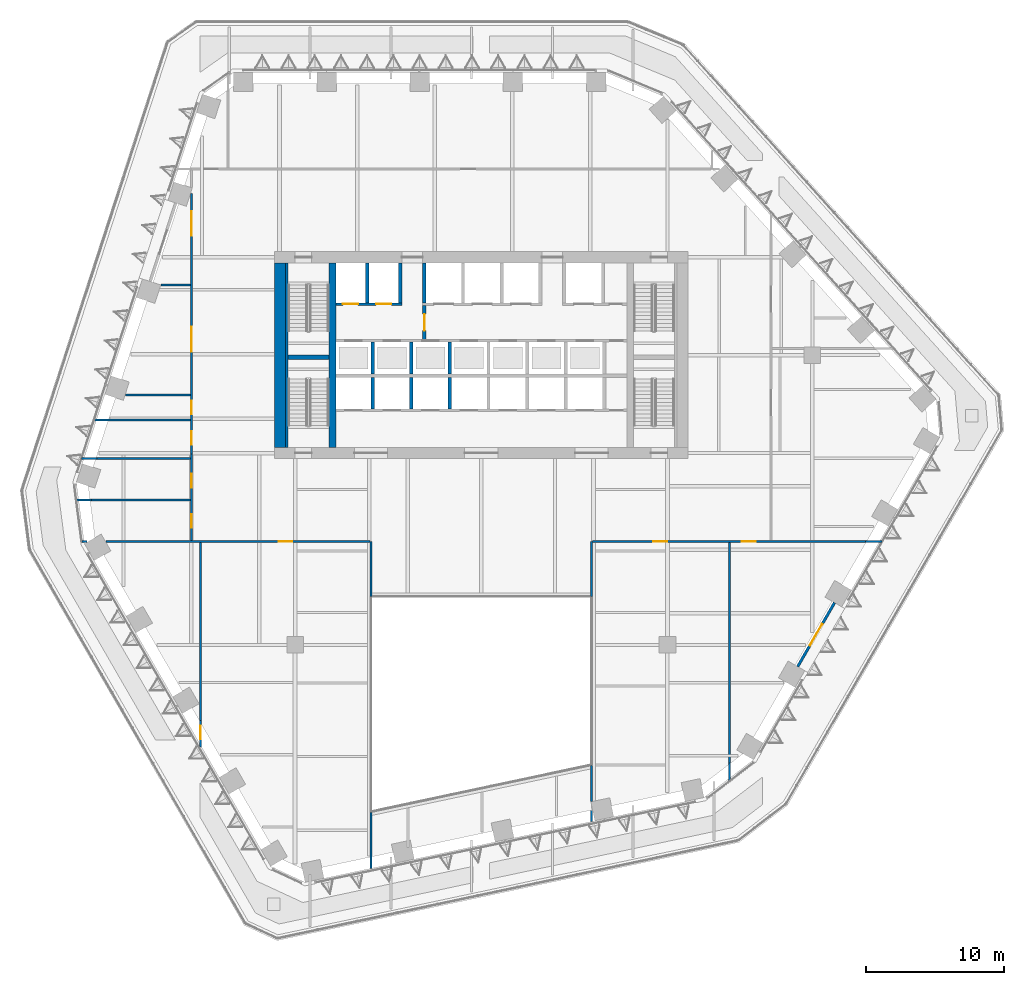
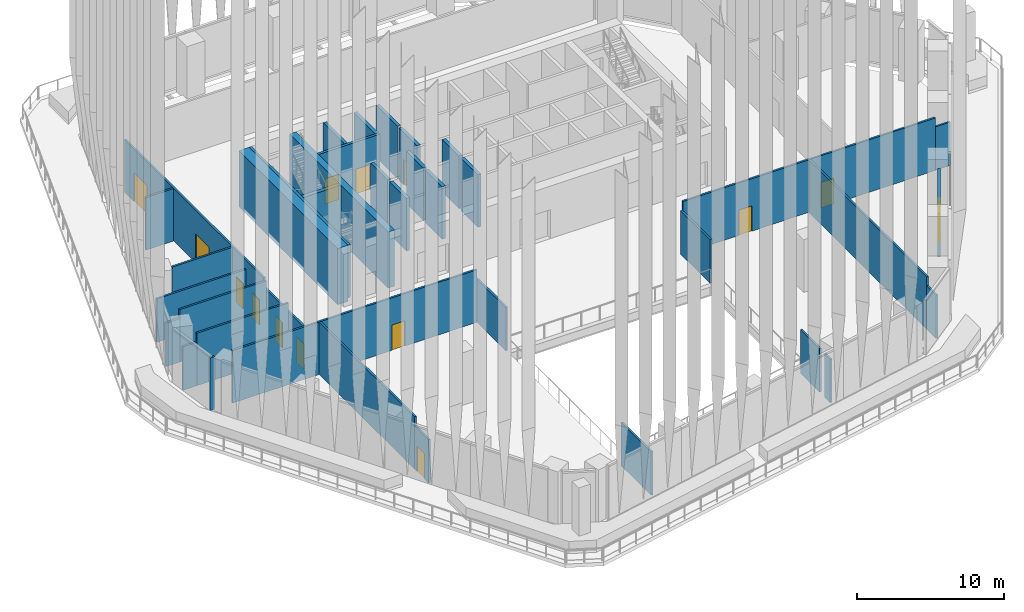
# One storey, part 13 of 27: 38 walls, 14 doors, 14 openings.
"""IFC4 building model written with IfcOpenShell, lengths in metres."""

from ifc_helpers import new_model, si_unit, direction, frame, frame_2d, origin, place, context, subcontext, project, spatial, rectangle, extrude, material, layer, layer_set, type_object, element, fill, save


model = new_model("IFC4")

# Units and contexts
model_context = context("Model", 3, precision=1e-05, world=origin(), true_north=direction((0.0, 1.0)))
body_context = subcontext(model_context, "Body", "Model", "MODEL_VIEW")
ifc_project = project(units=[si_unit("LENGTHUNIT", "METRE"), si_unit("AREAUNIT", "SQUARE_METRE"), si_unit("VOLUMEUNIT", "CUBIC_METRE"), si_unit("PLANEANGLEUNIT", "RADIAN"), si_unit("MASSUNIT", "GRAM", prefix="KILO")], contexts=[model_context])

# Site, building, storey
site_placement = place(None, origin())
site = spatial("IfcSite", under=ifc_project, at=site_placement, CompositionType="ELEMENT")
building_placement = place(site_placement, origin())
building = spatial("IfcBuilding", under=site, at=building_placement, Name="Isthmus Gate Tower", CompositionType="ELEMENT")
storey_placement = place(building_placement, frame((0.0, 0.0, 121.64990234375)))
storey = spatial("IfcBuildingStorey", under=building, at=storey_placement, Name="L29", CompositionType="ELEMENT", Elevation=121.64990234375)

# Wall, opening, door
ifc_material_1 = material(Name="Fire-rated blockwork masonry, 15 MPa", Category="masonry")
ifc_layer_1 = layer(ifc_material_1, 0.25)
ifc_layer_set_1 = layer_set([ifc_layer_1], Name="FIRE-FIGHTING LOBBY WALL 250 90 MIN")
wall_type_1 = type_object("IfcWallType", Name="FIRE-FIGHTING LOBBY WALL 250 90 MIN", PredefinedType="PARTITIONING", material=ifc_layer_set_1)
wall_1_placement = place(storey_placement, frame((-4.125, 8.64990234375, 0.0), z_axis=(0.0, 0.0, 1.0), x_axis=(0.0, 1.0, 0.0)))
wall_1 = element("IfcWall", 1, at=wall_1_placement, inside=storey, type_object=wall_type_1, Name="L29 FIRE-FIGHTING LOBBY WALL 250 90 MIN", PredefinedType="PARTITIONING", context=body_context, shape_type="SweptSolid", body=[
    extrude(rectangle(XDim=2.4501953125, YDim=0.25, at=frame_2d((1.22509765625, 0.0))), origin(), (0.0, 0.0, 1.0), 4.35009765625),
])
opening_1_placement = place(wall_1_placement, frame((0.625, 0.0, 0.0)))
opening_1 = element("IfcOpeningElement", 2, at=opening_1_placement, cuts=wall_1, Name="Opening DC-A08-01", PredefinedType="OPENING", context=body_context, shape_type="SweptSolid", body=[
    extrude(rectangle(XDim=1.199951171875, YDim=2.10009765625, at=frame_2d((0.60009765625, 1.050048828125))), frame((0.0, 0.135009765625, 0.0), z_axis=(0.0, -1.0, 0.0), x_axis=(1.0, 0.0, 0.0)), (0.0, 0.0, 1.0), 0.27001953125),
])
ifc_material_2 = material(Name="Steel door leaf, fire-rated", Category="steel")
door_type_1 = type_object("IfcDoorType", Name="LOBBY FIRE DOOR 1200 X 2100 90 MIN", OperationType="DOUBLE_DOOR_SINGLE_SWING", PredefinedType="DOOR", material=ifc_material_2)
door_1_placement = place(opening_1_placement, origin())
door_1 = element("IfcDoor", 3, at=door_1_placement, inside=storey, type_object=door_type_1, Name="Fire-fighting Lobby Door", OperationType="SINGLE_SWING_LEFT", OverallHeight=2.10009765625, OverallWidth=1.199951171875, PredefinedType="DOOR", context=body_context, shape_type="SweptSolid", body=[
    extrude(rectangle(XDim=1.199951171875, YDim=2.10009765625, at=frame_2d((0.60009765625, 1.050048828125))), frame((0.0, 0.02490234375, 0.0), z_axis=(0.0, -1.0, 0.0), x_axis=(1.0, 0.0, 0.0)), (0.0, 0.0, 1.0), 0.050048828125),
])
fill(opening_1, door_1)

# Wall
ifc_material_3 = material(Name="Gypsum board on cold-formed steel studs", Category="steel")
ifc_layer_2 = layer(ifc_material_3, 0.14990234375)
ifc_layer_set_2 = layer_set([ifc_layer_2])
wall_type_2 = type_object("IfcWallType", Name="Partition 150 gypsum board on steel studs", PredefinedType="PARTITIONING", material=ifc_layer_set_2)
wall_2_placement = place(storey_placement, frame((-28.96044921875, -6.0, 0.0), z_axis=(0.0, 0.0, 1.0), x_axis=(1.0, 0.0, 0.0)))
element("IfcWall", 4, at=wall_2_placement, inside=storey, type_object=wall_type_2, Name="Partition", PredefinedType="PARTITIONING", context=body_context, shape_type="SweptSolid", body=[
    extrude(rectangle(XDim=0.361083984375, YDim=0.14990234375, at=frame_2d((0.1806640625, 0.0))), origin(), (0.0, 0.0, 1.0), 4.35009765625),
])

# Wall, opening, door
wall_3_placement = place(storey_placement, frame((-27.20751953125, -6.0, 0.0), z_axis=(0.0, 0.0, 1.0), x_axis=(1.0, 0.0, 0.0)))
wall_3 = element("IfcWall", 5, at=wall_3_placement, inside=storey, type_object=wall_type_2, Name="Partition", PredefinedType="PARTITIONING", context=body_context, shape_type="SweptSolid", body=[
    extrude(rectangle(XDim=19.132568359375, YDim=0.14990234375, at=frame_2d((9.56640625, 0.0))), origin(), (0.0, 0.0, 1.0), 4.35009765625),
])
opening_2_placement = place(wall_3_placement, frame((12.50732421875, 0.0, 0.0)))
opening_2 = element("IfcOpeningElement", 6, at=opening_2_placement, cuts=wall_3, Name="Opening DP29-11", PredefinedType="OPENING", context=body_context, shape_type="SweptSolid", body=[
    extrude(rectangle(XDim=1.0, YDim=2.10009765625, at=frame_2d((0.5, 1.050048828125))), frame((0.0, 0.0849609375, 0.0), z_axis=(0.0, -1.0, 0.0), x_axis=(1.0, 0.0, 0.0)), (0.0, 0.0, 1.0), 0.169921875),
])
ifc_material_4 = material(Name="Hollow metal frame with solid-core timber leaf", Category="wood")
door_type_2 = type_object("IfcDoorType", Name="Single swing door 1000 x 2100", OperationType="SINGLE_SWING_LEFT", PredefinedType="DOOR", material=ifc_material_4)
door_2_placement = place(opening_2_placement, origin())
door_2 = element("IfcDoor", 7, at=door_2_placement, inside=storey, type_object=door_type_2, Name="Door DP29-11", OperationType="SINGLE_SWING_LEFT", OverallHeight=2.10009765625, OverallWidth=1.0, PredefinedType="DOOR", context=body_context, shape_type="SweptSolid", body=[
    extrude(rectangle(XDim=1.0, YDim=2.10009765625, at=frame_2d((0.5, 1.050048828125))), frame((0.0, 0.02490234375, 0.0), z_axis=(0.0, -1.0, 0.0), x_axis=(1.0, 0.0, 0.0)), (0.0, 0.0, 1.0), 0.050048828125),
])
fill(opening_2, door_2)

# Wall, openings, doors
wall_4_placement = place(storey_placement, frame((8.074951171875, -6.0, 0.0), z_axis=(0.0, 0.0, 1.0), x_axis=(1.0, 0.0, 0.0)))
wall_4 = element("IfcWall", 8, at=wall_4_placement, inside=storey, type_object=wall_type_2, Name="Partition", PredefinedType="PARTITIONING", context=body_context, shape_type="SweptSolid", body=[
    extrude(rectangle(XDim=19.7822265625, YDim=0.14990234375, at=frame_2d((9.89111328125, 0.0))), origin(), (0.0, 0.0, 1.0), 4.35009765625),
])
opening_3_placement = place(wall_4_placement, frame((4.39990234375, 0.0, 0.0)))
opening_3 = element("IfcOpeningElement", 9, at=opening_3_placement, cuts=wall_4, Name="Opening DP29-12", PredefinedType="OPENING", context=body_context, shape_type="SweptSolid", body=[
    extrude(rectangle(XDim=1.0, YDim=2.10009765625, at=frame_2d((0.5, 1.050048828125))), frame((0.0, 0.0849609375, 0.0), z_axis=(0.0, -1.0, 0.0), x_axis=(1.0, 0.0, 0.0)), (0.0, 0.0, 1.0), 0.169921875),
])
opening_4_placement = place(wall_4_placement, frame((10.824951171875, 0.0, 0.0)))
opening_4 = element("IfcOpeningElement", 10, at=opening_4_placement, cuts=wall_4, Name="Opening DP29-13", PredefinedType="OPENING", context=body_context, shape_type="SweptSolid", body=[
    extrude(rectangle(XDim=1.0, YDim=2.10009765625, at=frame_2d((0.5, 1.050048828125))), frame((0.0, 0.0849609375, 0.0), z_axis=(0.0, -1.0, 0.0), x_axis=(1.0, 0.0, 0.0)), (0.0, 0.0, 1.0), 0.169921875),
])
door_3_placement = place(opening_3_placement, origin())
door_3 = element("IfcDoor", 11, at=door_3_placement, inside=storey, type_object=door_type_2, Name="Door DP29-12", OperationType="SINGLE_SWING_LEFT", OverallHeight=2.10009765625, OverallWidth=1.0, PredefinedType="DOOR", context=body_context, shape_type="SweptSolid", body=[
    extrude(rectangle(XDim=1.0, YDim=2.10009765625, at=frame_2d((0.5, 1.050048828125))), frame((0.0, 0.02490234375, 0.0), z_axis=(0.0, -1.0, 0.0), x_axis=(1.0, 0.0, 0.0)), (0.0, 0.0, 1.0), 0.050048828125),
])
fill(opening_3, door_3)
door_4_placement = place(opening_4_placement, origin())
door_4 = element("IfcDoor", 12, at=door_4_placement, inside=storey, type_object=door_type_2, Name="Door DP29-13", OperationType="SINGLE_SWING_LEFT", OverallHeight=2.10009765625, OverallWidth=1.0, PredefinedType="DOOR", context=body_context, shape_type="SweptSolid", body=[
    extrude(rectangle(XDim=1.0, YDim=2.10009765625, at=frame_2d((0.5, 1.050048828125))), frame((0.0, 0.02490234375, 0.0), z_axis=(0.0, -1.0, 0.0), x_axis=(1.0, 0.0, 0.0)), (0.0, 0.0, 1.0), 0.050048828125),
])
fill(opening_4, door_4)

# Walls
wall_5_placement = place(storey_placement, frame((27.857177734375, -6.0, 0.0), z_axis=(0.0, 0.0, 1.0), x_axis=(1.0, 0.0, 0.0)))
element("IfcWall", 13, at=wall_5_placement, inside=storey, type_object=wall_type_2, Name="Partition", PredefinedType="PARTITIONING", context=body_context, shape_type="SweptSolid", body=[
    extrude(rectangle(XDim=1.180419921875, YDim=0.14990234375, at=frame_2d((0.59033203125, 0.0))), origin(), (0.0, 0.0, 1.0), 3.60009765625),
])
wall_6_placement = place(storey_placement, frame((-29.351318359375, -3.0, 0.0), z_axis=(0.0, 0.0, 1.0), x_axis=(1.0, 0.0, 0.0)))
element("IfcWall", 14, at=wall_6_placement, inside=storey, type_object=wall_type_2, Name="Partition", PredefinedType="PARTITIONING", context=body_context, shape_type="SweptSolid", body=[
    extrude(rectangle(XDim=1.094482421875, YDim=0.14990234375, at=frame_2d((0.54736328125, 0.0))), origin(), (0.0, 0.0, 1.0), 3.60009765625),
])
wall_7_placement = place(storey_placement, frame((-28.2568359375, -3.0, 0.0), z_axis=(0.0, 0.0, 1.0), x_axis=(1.0, 0.0, 0.0)))
element("IfcWall", 15, at=wall_7_placement, inside=storey, type_object=wall_type_2, Name="Partition", PredefinedType="PARTITIONING", context=body_context, shape_type="SweptSolid", body=[
    extrude(rectangle(XDim=7.181884765625, YDim=0.14990234375, at=frame_2d((3.5908203125, 0.0))), origin(), (0.0, 0.0, 1.0), 4.35009765625),
])
wall_8_placement = place(storey_placement, frame((-28.967529296875, 0.0, 0.0), z_axis=(0.0, 0.0, 1.0), x_axis=(1.0, 0.0, 0.0)))
element("IfcWall", 16, at=wall_8_placement, inside=storey, type_object=wall_type_2, Name="Partition", PredefinedType="PARTITIONING", context=body_context, shape_type="SweptSolid", body=[
    extrude(rectangle(XDim=1.091064453125, YDim=0.14990234375, at=frame_2d((0.54541015625, 0.0))), origin(), (0.0, 0.0, 1.0), 3.60009765625),
])
wall_9_placement = place(storey_placement, frame((-27.87646484375, 0.0, 0.0), z_axis=(0.0, 0.0, 1.0), x_axis=(1.0, 0.0, 0.0)))
element("IfcWall", 17, at=wall_9_placement, inside=storey, type_object=wall_type_2, Name="Partition", PredefinedType="PARTITIONING", context=body_context, shape_type="SweptSolid", body=[
    extrude(rectangle(XDim=6.801513671875, YDim=0.14990234375, at=frame_2d((3.40087890625, 0.0))), origin(), (0.0, 0.0, 1.0), 4.35009765625),
])
wall_10_placement = place(storey_placement, frame((-28.057861328125, 2.800048828125, 0.0), z_axis=(0.0, 0.0, 1.0), x_axis=(1.0, 0.0, 0.0)))
element("IfcWall", 18, at=wall_10_placement, inside=storey, type_object=wall_type_2, Name="Partition", PredefinedType="PARTITIONING", context=body_context, shape_type="SweptSolid", body=[
    extrude(rectangle(XDim=6.98291015625, YDim=0.14990234375, at=frame_2d((3.491455078125, 0.0))), origin(), (0.0, 0.0, 1.0), 3.60009765625),
])
wall_11_placement = place(storey_placement, frame((-25.806396484375, 4.60009765625, 0.0), z_axis=(0.0, 0.0, 1.0), x_axis=(1.0, 0.0, 0.0)))
element("IfcWall", 19, at=wall_11_placement, inside=storey, type_object=wall_type_2, Name="Partition", PredefinedType="PARTITIONING", context=body_context, shape_type="SweptSolid", body=[
    extrude(rectangle(XDim=4.7314453125, YDim=0.14990234375, at=frame_2d((2.36572265625, 0.0))), origin(), (0.0, 0.0, 1.0), 4.35009765625),
])
wall_12_placement = place(storey_placement, frame((-23.23486328125, 12.60009765625, 0.0), z_axis=(0.0, 0.0, 1.0), x_axis=(1.0, 0.0, 0.0)))
element("IfcWall", 20, at=wall_12_placement, inside=storey, type_object=wall_type_2, Name="Partition", PredefinedType="PARTITIONING", context=body_context, shape_type="SweptSolid", body=[
    extrude(rectangle(XDim=2.159912109375, YDim=0.14990234375, at=frame_2d((1.080078125, 0.0))), origin(), (0.0, 0.0, 1.0), 4.35009765625),
])

# Wall, openings, doors
wall_13_placement = place(storey_placement, frame((-21.0, -5.925048828125, 0.0), z_axis=(0.0, 0.0, 1.0), x_axis=(0.0, 1.0, 0.0)))
wall_13 = element("IfcWall", 21, at=wall_13_placement, inside=storey, type_object=wall_type_2, Name="Partition", PredefinedType="PARTITIONING", context=body_context, shape_type="SweptSolid", body=[
    extrude(rectangle(XDim=6.268310546875, YDim=0.14990234375, at=frame_2d((3.13427734375, 0.0))), origin(), (0.0, 0.0, 1.0), 3.600830078125),
])
opening_5_placement = place(wall_13_placement, frame((0.89990234375, 0.0, 0.0)))
opening_5 = element("IfcOpeningElement", 22, at=opening_5_placement, cuts=wall_13, Name="Opening DP29-03", PredefinedType="OPENING", context=body_context, shape_type="SweptSolid", body=[
    extrude(rectangle(XDim=1.0, YDim=2.10009765625, at=frame_2d((0.5, 1.050048828125))), frame((0.0, 0.0849609375, 0.0), z_axis=(0.0, -1.0, 0.0), x_axis=(1.0, 0.0, 0.0)), (0.0, 0.0, 1.0), 0.169921875),
])
opening_6_placement = place(wall_13_placement, frame((3.824951171875, 0.0, 0.0)))
opening_6 = element("IfcOpeningElement", 23, at=opening_6_placement, cuts=wall_13, Name="Opening DP29-04", PredefinedType="OPENING", context=body_context, shape_type="SweptSolid", body=[
    extrude(rectangle(XDim=1.0, YDim=2.10009765625, at=frame_2d((0.5, 1.050048828125))), frame((0.0, 0.0849609375, 0.0), z_axis=(0.0, -1.0, 0.0), x_axis=(1.0, 0.0, 0.0)), (0.0, 0.0, 1.0), 0.169921875),
])
door_5_placement = place(opening_5_placement, origin())
door_5 = element("IfcDoor", 24, at=door_5_placement, inside=storey, type_object=door_type_2, Name="Door DP29-03", OperationType="SINGLE_SWING_LEFT", OverallHeight=2.10009765625, OverallWidth=1.0, PredefinedType="DOOR", context=body_context, shape_type="SweptSolid", body=[
    extrude(rectangle(XDim=1.0, YDim=2.10009765625, at=frame_2d((0.5, 1.050048828125))), frame((0.0, 0.02490234375, 0.0), z_axis=(0.0, -1.0, 0.0), x_axis=(1.0, 0.0, 0.0)), (0.0, 0.0, 1.0), 0.050048828125),
])
fill(opening_5, door_5)
door_6_placement = place(opening_6_placement, origin())
door_6 = element("IfcDoor", 25, at=door_6_placement, inside=storey, type_object=door_type_2, Name="Door DP29-04", OperationType="SINGLE_SWING_LEFT", OverallHeight=2.10009765625, OverallWidth=1.0, PredefinedType="DOOR", context=body_context, shape_type="SweptSolid", body=[
    extrude(rectangle(XDim=1.0, YDim=2.10009765625, at=frame_2d((0.5, 1.050048828125))), frame((0.0, 0.02490234375, 0.0), z_axis=(0.0, -1.0, 0.0), x_axis=(1.0, 0.0, 0.0)), (0.0, 0.0, 1.0), 0.050048828125),
])
fill(opening_6, door_6)

wall_14_placement = place(storey_placement, frame((-21.0, 0.34326171875, 0.0), z_axis=(0.0, 0.0, 1.0), x_axis=(0.0, 1.0, 0.0)))
wall_14 = element("IfcWall", 26, at=wall_14_placement, inside=storey, type_object=wall_type_2, Name="Partition", PredefinedType="PARTITIONING", context=body_context, shape_type="SweptSolid", body=[
    extrude(rectangle(XDim=18.89404296875, YDim=0.14990234375, at=frame_2d((9.447021484375, 0.0))), origin(), (0.0, 0.0, 1.0), 4.35009765625),
])
opening_7_placement = place(wall_14_placement, frame((0.64990234375, 0.0, 0.0)))
opening_7 = element("IfcOpeningElement", 27, at=opening_7_placement, cuts=wall_14, Name="Opening DP29-05", PredefinedType="OPENING", context=body_context, shape_type="SweptSolid", body=[
    extrude(rectangle(XDim=1.0, YDim=2.10009765625, at=frame_2d((0.5, 1.050048828125))), frame((0.0, 0.0849609375, 0.0), z_axis=(0.0, -1.0, 0.0), x_axis=(1.0, 0.0, 0.0)), (0.0, 0.0, 1.0), 0.169921875),
])
opening_8_placement = place(wall_14_placement, frame((2.856689453125, 0.0, 0.0)))
opening_8 = element("IfcOpeningElement", 28, at=opening_8_placement, cuts=wall_14, Name="Opening DP29-06", PredefinedType="OPENING", context=body_context, shape_type="SweptSolid", body=[
    extrude(rectangle(XDim=1.0, YDim=2.10009765625, at=frame_2d((0.5, 1.050048828125))), frame((0.0, 0.0849609375, 0.0), z_axis=(0.0, -1.0, 0.0), x_axis=(1.0, 0.0, 0.0)), (0.0, 0.0, 1.0), 0.169921875),
])
opening_9_placement = place(wall_14_placement, frame((7.40673828125, 0.0, 0.0)))
opening_9 = element("IfcOpeningElement", 29, at=opening_9_placement, cuts=wall_14, Name="Opening DP29-07", PredefinedType="OPENING", context=body_context, shape_type="SweptSolid", body=[
    extrude(rectangle(XDim=1.800048828125, YDim=2.39990234375, at=frame_2d((0.89990234375, 1.199951171875))), frame((0.0, 0.0849609375, 0.0), z_axis=(0.0, -1.0, 0.0), x_axis=(1.0, 0.0, 0.0)), (0.0, 0.0, 1.0), 0.169921875),
])
opening_10_placement = place(wall_14_placement, frame((15.806884765625, 0.0, 0.0)))
opening_10 = element("IfcOpeningElement", 30, at=opening_10_placement, cuts=wall_14, Name="Opening DP29-08", PredefinedType="OPENING", context=body_context, shape_type="SweptSolid", body=[
    extrude(rectangle(XDim=1.800048828125, YDim=2.39990234375, at=frame_2d((0.89990234375, 1.199951171875))), frame((0.0, 0.0849609375, 0.0), z_axis=(0.0, -1.0, 0.0), x_axis=(1.0, 0.0, 0.0)), (0.0, 0.0, 1.0), 0.169921875),
])
ifc_material_5 = material(Name="Hollow metal frame with solid-core timber leaves", Category="wood")
door_type_3 = type_object("IfcDoorType", Name="Double swing door 1800 x 2400", OperationType="DOUBLE_DOOR_SINGLE_SWING", PredefinedType="DOOR", material=ifc_material_5)
door_7_placement = place(opening_9_placement, origin())
door_7 = element("IfcDoor", 31, at=door_7_placement, inside=storey, type_object=door_type_3, Name="Door DP29-07", OperationType="SINGLE_SWING_LEFT", OverallHeight=2.39990234375, OverallWidth=1.800048828125, PredefinedType="DOOR", context=body_context, shape_type="SweptSolid", body=[
    extrude(rectangle(XDim=1.800048828125, YDim=2.39990234375, at=frame_2d((0.89990234375, 1.199951171875))), frame((0.0, 0.02490234375, 0.0), z_axis=(0.0, -1.0, 0.0), x_axis=(1.0, 0.0, 0.0)), (0.0, 0.0, 1.0), 0.050048828125),
])
fill(opening_9, door_7)
door_8_placement = place(opening_10_placement, origin())
door_8 = element("IfcDoor", 32, at=door_8_placement, inside=storey, type_object=door_type_3, Name="Door DP29-08", OperationType="SINGLE_SWING_LEFT", OverallHeight=2.39990234375, OverallWidth=1.800048828125, PredefinedType="DOOR", context=body_context, shape_type="SweptSolid", body=[
    extrude(rectangle(XDim=1.800048828125, YDim=2.39990234375, at=frame_2d((0.89990234375, 1.199951171875))), frame((0.0, 0.02490234375, 0.0), z_axis=(0.0, -1.0, 0.0), x_axis=(1.0, 0.0, 0.0)), (0.0, 0.0, 1.0), 0.050048828125),
])
fill(opening_10, door_8)
door_9_placement = place(opening_7_placement, origin())
door_9 = element("IfcDoor", 33, at=door_9_placement, inside=storey, type_object=door_type_2, Name="Door DP29-05", OperationType="SINGLE_SWING_LEFT", OverallHeight=2.10009765625, OverallWidth=1.0, PredefinedType="DOOR", context=body_context, shape_type="SweptSolid", body=[
    extrude(rectangle(XDim=1.0, YDim=2.10009765625, at=frame_2d((0.5, 1.050048828125))), frame((0.0, 0.02490234375, 0.0), z_axis=(0.0, -1.0, 0.0), x_axis=(1.0, 0.0, 0.0)), (0.0, 0.0, 1.0), 0.050048828125),
])
fill(opening_7, door_9)
door_10_placement = place(opening_8_placement, origin())
door_10 = element("IfcDoor", 34, at=door_10_placement, inside=storey, type_object=door_type_2, Name="Door DP29-06", OperationType="SINGLE_SWING_LEFT", OverallHeight=2.10009765625, OverallWidth=1.0, PredefinedType="DOOR", context=body_context, shape_type="SweptSolid", body=[
    extrude(rectangle(XDim=1.0, YDim=2.10009765625, at=frame_2d((0.5, 1.050048828125))), frame((0.0, 0.02490234375, 0.0), z_axis=(0.0, -1.0, 0.0), x_axis=(1.0, 0.0, 0.0)), (0.0, 0.0, 1.0), 0.050048828125),
])
fill(opening_8, door_10)

# Wall, opening, door
wall_15_placement = place(storey_placement, frame((-20.35009765625, -20.922119140625, 0.0), z_axis=(0.0, 0.0, 1.0), x_axis=(0.0, 1.0, 0.0)))
wall_15 = element("IfcWall", 35, at=wall_15_placement, inside=storey, type_object=wall_type_2, Name="Partition", PredefinedType="PARTITIONING", context=body_context, shape_type="SweptSolid", body=[
    extrude(rectangle(XDim=1.91943359375, YDim=0.14990234375, at=frame_2d((0.959716796875, 0.0))), origin(), (0.0, 0.0, 1.0), 3.60009765625),
])
opening_11_placement = place(wall_15_placement, frame((0.570068359375, 0.0, 0.0)))
opening_11 = element("IfcOpeningElement", 36, at=opening_11_placement, cuts=wall_15, Name="Opening DP29-14", PredefinedType="OPENING", context=body_context, shape_type="SweptSolid", body=[
    extrude(rectangle(XDim=1.0, YDim=2.10009765625, at=frame_2d((0.5, 1.050048828125))), frame((0.0, 0.0849609375, 0.0), z_axis=(0.0, -1.0, 0.0), x_axis=(1.0, 0.0, 0.0)), (0.0, 0.0, 1.0), 0.169921875),
])
door_11_placement = place(opening_11_placement, origin())
door_11 = element("IfcDoor", 37, at=door_11_placement, inside=storey, type_object=door_type_2, Name="Door DP29-14", OperationType="SINGLE_SWING_LEFT", OverallHeight=2.10009765625, OverallWidth=1.0, PredefinedType="DOOR", context=body_context, shape_type="SweptSolid", body=[
    extrude(rectangle(XDim=1.0, YDim=2.10009765625, at=frame_2d((0.5, 1.050048828125))), frame((0.0, 0.02490234375, 0.0), z_axis=(0.0, -1.0, 0.0), x_axis=(1.0, 0.0, 0.0)), (0.0, 0.0, 1.0), 0.050048828125),
])
fill(opening_11, door_11)

# Walls
wall_16_placement = place(storey_placement, frame((-20.35009765625, -19.002685546875, 0.0), z_axis=(0.0, 0.0, 1.0), x_axis=(0.0, 1.0, 0.0)))
element("IfcWall", 38, at=wall_16_placement, inside=storey, type_object=wall_type_2, Name="Partition", PredefinedType="PARTITIONING", context=body_context, shape_type="SweptSolid", body=[
    extrude(rectangle(XDim=12.927734375, YDim=0.14990234375, at=frame_2d((6.4638671875, 0.0))), origin(), (0.0, 0.0, 1.0), 4.35009765625),
])
wall_17_placement = place(storey_placement, frame((-8.0, -29.700439453125, 0.0), z_axis=(0.0, 0.0, 1.0), x_axis=(0.0, 1.0, 0.0)))
element("IfcWall", 39, at=wall_17_placement, inside=storey, type_object=wall_type_2, Name="Partition", PredefinedType="PARTITIONING", context=body_context, shape_type="SweptSolid", body=[
    extrude(rectangle(XDim=4.04931640625, YDim=0.14990234375, at=frame_2d((2.024658203125, 0.0))), origin(), (0.0, 0.0, 1.0), 3.59130859375),
])
wall_18_placement = place(storey_placement, frame((-8.0, -10.0, 0.0), z_axis=(0.0, 0.0, 1.0), x_axis=(0.0, 1.0, 0.0)))
element("IfcWall", 40, at=wall_18_placement, inside=storey, type_object=wall_type_2, Name="Partition", PredefinedType="PARTITIONING", context=body_context, shape_type="SweptSolid", body=[
    extrude(rectangle(XDim=4.0, YDim=0.14990234375, at=frame_2d((2.0, 0.0))), origin(), (0.0, 0.0, 1.0), 3.59130859375),
])
wall_19_placement = place(storey_placement, frame((8.0, -26.299560546875, 0.0), z_axis=(0.0, 0.0, 1.0), x_axis=(0.0, 1.0, 0.0)))
element("IfcWall", 41, at=wall_19_placement, inside=storey, type_object=wall_type_2, Name="Partition", PredefinedType="PARTITIONING", context=body_context, shape_type="SweptSolid", body=[
    extrude(rectangle(XDim=0.800537109375, YDim=0.14990234375, at=frame_2d((0.400390625, 0.0))), origin(), (0.0, 0.0, 1.0), 3.60009765625),
])
wall_20_placement = place(storey_placement, frame((8.0, -24.852294921875, 0.0), z_axis=(0.0, 0.0, 1.0), x_axis=(0.0, 1.0, 0.0)))
element("IfcWall", 42, at=wall_20_placement, inside=storey, type_object=wall_type_2, Name="Partition", PredefinedType="PARTITIONING", context=body_context, shape_type="SweptSolid", body=[
    extrude(rectangle(XDim=2.60107421875, YDim=0.14990234375, at=frame_2d((1.300537109375, 0.0))), origin(), (0.0, 0.0, 1.0), 3.600830078125),
])
wall_21_placement = place(storey_placement, frame((8.0, -10.0, 0.0), z_axis=(0.0, 0.0, 1.0), x_axis=(0.0, 1.0, 0.0)))
element("IfcWall", 43, at=wall_21_placement, inside=storey, type_object=wall_type_2, Name="Partition", PredefinedType="PARTITIONING", context=body_context, shape_type="SweptSolid", body=[
    extrude(rectangle(XDim=4.0, YDim=0.14990234375, at=frame_2d((2.0, 0.0))), origin(), (0.0, 0.0, 1.0), 3.600830078125),
])
wall_22_placement = place(storey_placement, frame((18.0, -23.32080078125, 0.0), z_axis=(0.0, 0.0, 1.0), x_axis=(0.0, 1.0, 0.0)))
element("IfcWall", 44, at=wall_22_placement, inside=storey, type_object=wall_type_2, Name="Partition", PredefinedType="PARTITIONING", context=body_context, shape_type="SweptSolid", body=[
    extrude(rectangle(XDim=1.271728515625, YDim=0.14990234375, at=frame_2d((0.6357421875, 0.0))), origin(), (0.0, 0.0, 1.0), 3.60009765625),
])
wall_23_placement = place(storey_placement, frame((18.0, -22.049072265625, 0.0), z_axis=(0.0, 0.0, 1.0), x_axis=(0.0, 1.0, 0.0)))
element("IfcWall", 45, at=wall_23_placement, inside=storey, type_object=wall_type_2, Name="Partition", PredefinedType="PARTITIONING", context=body_context, shape_type="SweptSolid", body=[
    extrude(rectangle(XDim=15.97412109375, YDim=0.14990234375, at=frame_2d((7.987060546875, 0.0))), origin(), (0.0, 0.0, 1.0), 4.35009765625),
])
ifc_material_6 = material(Name="Concrete f'c 60 MPa", Category="concrete")
ifc_layer_3 = layer(ifc_material_6, 0.5)
ifc_layer_set_3 = layer_set([ifc_layer_3], Name="RC CORE SPINE WALL 500 F'C 60")
wall_type_3 = type_object("IfcWallType", Name="RC CORE SPINE WALL 500 F'C 60", PredefinedType="SOLIDWALL", material=ifc_layer_set_3)
wall_24_placement = place(storey_placement, frame((-10.800048828125, 0.800048828125, -0.2998046875), z_axis=(0.0, 0.0, 1.0), x_axis=(0.0, 1.0, 0.0)))
element("IfcWall", 46, at=wall_24_placement, inside=storey, type_object=wall_type_3, Name="str-corewall-L29-SPW", PredefinedType="SOLIDWALL", context=body_context, shape_type="SweptSolid", body=[
    extrude(rectangle(XDim=13.39990234375, YDim=0.5, at=frame_2d((6.699951171875, 0.0))), origin(), (0.0, 0.0, 1.0), 4.64990234375),
])
ifc_material_7 = material(Name="Concrete f'c 60 MPa", Category="concrete")
ifc_layer_4 = layer(ifc_material_7, 0.800048828125)
ifc_layer_set_4 = layer_set([ifc_layer_4], Name="RC CORE WALL 800 F'C 60")
wall_type_4 = type_object("IfcWallType", Name="RC CORE WALL 800 F'C 60", PredefinedType="SOLIDWALL", material=ifc_layer_set_4)
wall_25_placement = place(storey_placement, frame((-14.60009765625, 0.800048828125, -0.2998046875), z_axis=(0.0, 0.0, 1.0), x_axis=(0.0, 1.0, 0.0)))
element("IfcWall", 47, at=wall_25_placement, inside=storey, type_object=wall_type_4, Name="str-corewall-L29-W", PredefinedType="SOLIDWALL", context=body_context, shape_type="SweptSolid", body=[
    extrude(rectangle(XDim=13.39990234375, YDim=0.800048828125, at=frame_2d((6.699951171875, 0.0))), origin(), (0.0, 0.0, 1.0), 4.64990234375),
])

# Wall, openings, doors
ifc_material_8 = material(Name="Fire-rated blockwork masonry, 15 MPa", Category="masonry")
ifc_layer_5 = layer(ifc_material_8, 0.199951171875)
ifc_layer_set_5 = layer_set([ifc_layer_5], Name="SHAFT FRONT WALL 200 120 MIN")
wall_type_5 = type_object("IfcWallType", Name="SHAFT FRONT WALL 200 120 MIN", PredefinedType="PARTITIONING", material=ifc_layer_set_5)
wall_26_placement = place(storey_placement, frame((-10.550048828125, 11.199951171875, 0.0), z_axis=(0.0, 0.0, 1.0), x_axis=(1.0, 0.0, 0.0)))
wall_26 = element("IfcWall", 48, at=wall_26_placement, inside=storey, type_object=wall_type_5, Name="L29 SHAFT FRONT WALL 200 120 MIN", PredefinedType="PARTITIONING", context=body_context, shape_type="SweptSolid", body=[
    extrude(rectangle(XDim=4.800048828125, YDim=0.199951171875, at=frame_2d((2.39990234375, 0.0))), origin(), (0.0, 0.0, 1.0), 4.35009765625),
])
opening_12_placement = place(wall_26_placement, frame((0.52490234375, 0.0, 0.0)))
opening_12 = element("IfcOpeningElement", 49, at=opening_12_placement, cuts=wall_26, Name="Opening LD-LF1", PredefinedType="OPENING", context=body_context, shape_type="SweptSolid", body=[
    extrude(rectangle(XDim=1.10009765625, YDim=2.10009765625, at=frame_2d((0.550048828125, 1.050048828125))), frame((0.0, 0.10986328125, 0.0), z_axis=(0.0, -1.0, 0.0), x_axis=(1.0, 0.0, 0.0)), (0.0, 0.0, 1.0), 0.219970703125),
])
opening_13_placement = place(wall_26_placement, frame((2.925048828125, 0.0, 0.0)))
opening_13 = element("IfcOpeningElement", 50, at=opening_13_placement, cuts=wall_26, Name="Opening LD-LF2", PredefinedType="OPENING", context=body_context, shape_type="SweptSolid", body=[
    extrude(rectangle(XDim=1.10009765625, YDim=2.10009765625, at=frame_2d((0.550048828125, 1.050048828125))), frame((0.0, 0.10986328125, 0.0), z_axis=(0.0, -1.0, 0.0), x_axis=(1.0, 0.0, 0.0)), (0.0, 0.0, 1.0), 0.219970703125),
])
ifc_material_9 = material(Name="Stainless steel sliding leaf", Category="steel")
door_type_4 = type_object("IfcDoorType", Name="LIFT LANDING FIRE DOOR 1100 X 2100 90 MIN", OperationType="DOUBLE_DOOR_SLIDING", PredefinedType="DOOR", material=ifc_material_9)
door_12_placement = place(opening_12_placement, origin())
door_12 = element("IfcDoor", 51, at=door_12_placement, inside=storey, type_object=door_type_4, Name="Lift Landing Door LF1", OperationType="DOUBLE_DOOR_SLIDING", OverallHeight=2.10009765625, OverallWidth=1.10009765625, PredefinedType="DOOR", context=body_context, shape_type="SweptSolid", body=[
    extrude(rectangle(XDim=1.10009765625, YDim=2.10009765625, at=frame_2d((0.550048828125, 1.050048828125))), frame((0.0, 0.02490234375, 0.0), z_axis=(0.0, -1.0, 0.0), x_axis=(1.0, 0.0, 0.0)), (0.0, 0.0, 1.0), 0.050048828125),
])
fill(opening_12, door_12)
door_13_placement = place(opening_13_placement, origin())
door_13 = element("IfcDoor", 52, at=door_13_placement, inside=storey, type_object=door_type_4, Name="Lift Landing Door LF2", OperationType="DOUBLE_DOOR_SLIDING", OverallHeight=2.10009765625, OverallWidth=1.10009765625, PredefinedType="DOOR", context=body_context, shape_type="SweptSolid", body=[
    extrude(rectangle(XDim=1.10009765625, YDim=2.10009765625, at=frame_2d((0.550048828125, 1.050048828125))), frame((0.0, 0.02490234375, 0.0), z_axis=(0.0, -1.0, 0.0), x_axis=(1.0, 0.0, 0.0)), (0.0, 0.0, 1.0), 0.050048828125),
])
fill(opening_13, door_13)

# Walls
ifc_material_10 = material(Name="Fire-rated blockwork masonry, 15 MPa", Category="masonry")
ifc_layer_6 = layer(ifc_material_10, 0.25)
ifc_layer_set_6 = layer_set([ifc_layer_6], Name="SHAFT WALL 250 120 MIN")
wall_type_6 = type_object("IfcWallType", Name="SHAFT WALL 250 120 MIN", PredefinedType="PARTITIONING", material=ifc_layer_set_6)
for number, where, z_axis, x_axis, name in (
    (53, (-7.875, 3.60009765625, 0.0), (0.0, 0.0, 1.0), (0.0, 1.0, 0.0), "L29 SHAFT WALL 250 120 MIN"),
    (54, (-5.074951171875, 3.60009765625, 0.0), (0.0, 0.0, 1.0), (0.0, 1.0, 0.0), "L29 SHAFT WALL 250 120 MIN"),
    (55, (-2.27490234375, 3.60009765625, 0.0), (0.0, 0.0, 1.0), (0.0, 1.0, 0.0), "L29 SHAFT WALL 250 120 MIN"),
):
    element("IfcWall", number, at=place(storey_placement, frame(where, z_axis=z_axis, x_axis=x_axis)), inside=storey, type_object=wall_type_6, Name=name, PredefinedType="PARTITIONING", context=body_context, shape_type="SweptSolid", body=[
        extrude(rectangle(XDim=2.2998046875, YDim=0.25, at=frame_2d((1.14990234375, 0.0))), origin(), (0.0, 0.0, 1.0), 4.35009765625),
    ])
for number, where, z_axis, x_axis, name in (
    (56, (-7.875, 6.14990234375, 0.0), (0.0, 0.0, 1.0), (0.0, 1.0, 0.0), "L29 SHAFT WALL 250 120 MIN"),
    (57, (-5.074951171875, 6.14990234375, 0.0), (0.0, 0.0, 1.0), (0.0, 1.0, 0.0), "L29 SHAFT WALL 250 120 MIN"),
    (58, (-2.27490234375, 6.14990234375, 0.0), (0.0, 0.0, 1.0), (0.0, 1.0, 0.0), "L29 SHAFT WALL 250 120 MIN"),
):
    element("IfcWall", number, at=place(storey_placement, frame(where, z_axis=z_axis, x_axis=x_axis)), inside=storey, type_object=wall_type_6, Name=name, PredefinedType="PARTITIONING", context=body_context, shape_type="SweptSolid", body=[
        extrude(rectangle(XDim=2.300048828125, YDim=0.25, at=frame_2d((1.14990234375, 0.0))), origin(), (0.0, 0.0, 1.0), 4.35009765625),
    ])
for number, where, z_axis, x_axis, name in (
    (59, (-8.27490234375, 11.300048828125, 0.0), (0.0, 0.0, 1.0), (0.0, 1.0, 0.0), "L29 SHAFT WALL 250 120 MIN"),
    (60, (-5.875, 11.300048828125, 0.0), (0.0, 0.0, 1.0), (0.0, 1.0, 0.0), "L29 SHAFT WALL 250 120 MIN"),
    (61, (-4.125, 11.300048828125, 0.0), (0.0, 0.0, 1.0), (0.0, 1.0, 0.0), "L29 SHAFT WALL 250 120 MIN"),
):
    element("IfcWall", number, at=place(storey_placement, frame(where, z_axis=z_axis, x_axis=x_axis)), inside=storey, type_object=wall_type_6, Name=name, PredefinedType="PARTITIONING", context=body_context, shape_type="SweptSolid", body=[
        extrude(rectangle(XDim=2.89990234375, YDim=0.25, at=frame_2d((1.449951171875, 0.0))), origin(), (0.0, 0.0, 1.0), 4.35009765625),
    ])
ifc_material_11 = material(Name="Concrete f'c 40 MPa", Category="concrete")
ifc_layer_7 = layer(ifc_material_11, 0.199951171875)
ifc_layer_set_7 = layer_set([ifc_layer_7], Name="STAIR ENCLOSURE WALL 200 180 MIN")
wall_type_7 = type_object("IfcWallType", Name="STAIR ENCLOSURE WALL 200 180 MIN", PredefinedType="SOLIDWALL", material=ifc_layer_set_7)
wall_27_placement = place(storey_placement, frame((-14.10009765625, 0.800048828125, 0.0), z_axis=(0.0, 0.0, 1.0), x_axis=(0.0, 1.0, 0.0)))
element("IfcWall", 62, at=wall_27_placement, inside=storey, type_object=wall_type_7, Name="L29 STAIR ENCLOSURE WALL 200 180 MIN", PredefinedType="SOLIDWALL", context=body_context, shape_type="SweptSolid", body=[
    extrude(rectangle(XDim=13.39990234375, YDim=0.199951171875, at=frame_2d((6.699951171875, 0.0))), origin(), (0.0, 0.0, 1.0), 4.35009765625),
])
ifc_material_12 = material(Name="Concrete f'c 40 MPa", Category="concrete")
ifc_layer_8 = layer(ifc_material_12, 0.300048828125)
ifc_layer_set_8 = layer_set([ifc_layer_8], Name="STAIR ENCLOSURE WALL 300 180 MIN")
wall_type_8 = type_object("IfcWallType", Name="STAIR ENCLOSURE WALL 300 180 MIN", PredefinedType="SOLIDWALL", material=ifc_layer_set_8)
wall_28_placement = place(storey_placement, frame((-14.0, 7.35009765625, 0.0), z_axis=(0.0, 0.0, 1.0), x_axis=(1.0, 0.0, 0.0)))
element("IfcWall", 63, at=wall_28_placement, inside=storey, type_object=wall_type_8, Name="L29 STAIR ENCLOSURE WALL 300 180 MIN", PredefinedType="SOLIDWALL", context=body_context, shape_type="SweptSolid", body=[
    extrude(rectangle(XDim=2.949951171875, YDim=0.300048828125, at=frame_2d((1.47509765625, 0.0))), origin(), (0.0, 0.0, 1.0), 4.35009765625),
])

# Wall, opening, door
ifc_material_13 = material(Name="Precast concrete C40/50", Category="concrete")
ifc_layer_9 = layer(ifc_material_13, 0.199951171875)
ifc_layer_set_9 = layer_set([ifc_layer_9], Name="TERRACE DOOR WALL 200")
wall_type_9 = type_object("IfcWallType", Name="TERRACE DOOR WALL 200", PredefinedType="SOLIDWALL", material=ifc_layer_set_9)
wall_29_placement = place(storey_placement, frame((22.934814453125, -15.07568359375, 0.0), z_axis=(0.0, 0.0, 1.0), x_axis=(0.500001594578, 0.866024483152, 0.0)))
wall_29 = element("IfcWall", 64, at=wall_29_placement, inside=storey, type_object=wall_type_9, Name="TERRACE DOOR WALL", PredefinedType="SOLIDWALL", context=body_context, shape_type="SweptSolid", body=[
    extrude(rectangle(XDim=5.35009765625, YDim=0.199951171875, at=frame_2d((2.675048828125, 0.0))), origin(), (0.0, 0.0, 1.0), 3.60009765625),
])
opening_14_placement = place(wall_29_placement, frame((1.775146484375, 0.0, 0.0)))
opening_14 = element("IfcOpeningElement", 65, at=opening_14_placement, cuts=wall_29, Name="Opening DE29-02", PredefinedType="OPENING", context=body_context, shape_type="SweptSolid", body=[
    extrude(rectangle(XDim=1.800048828125, YDim=2.39990234375, at=frame_2d((0.89990234375, 1.199951171875))), frame((0.0, 0.10986328125, 0.0), z_axis=(0.0, -1.0, 0.0), x_axis=(1.0, 0.0, 0.0)), (0.0, 0.0, 1.0), 0.219970703125),
])
ifc_material_14 = material(Name="Aluminium and laminated glass", Category="aluminium")
door_type_5 = type_object("IfcDoorType", Name="TERRACE DOOR SLIDING 1800 X 2400", OperationType="DOUBLE_DOOR_SLIDING", PredefinedType="DOOR", material=ifc_material_14)
door_14_placement = place(opening_14_placement, origin())
door_14 = element("IfcDoor", 66, at=door_14_placement, inside=storey, type_object=door_type_5, Name="DOOR DE29-02", OperationType="SINGLE_SWING_LEFT", OverallHeight=2.39990234375, OverallWidth=1.800048828125, PredefinedType="DOOR", context=body_context, shape_type="SweptSolid", body=[
    extrude(rectangle(XDim=1.800048828125, YDim=2.39990234375, at=frame_2d((0.89990234375, 1.199951171875))), frame((0.0, 0.02490234375, 0.0), z_axis=(0.0, -1.0, 0.0), x_axis=(1.0, 0.0, 0.0)), (0.0, 0.0, 1.0), 0.050048828125),
])
fill(opening_14, door_14)

save(model, "model.ifc")
